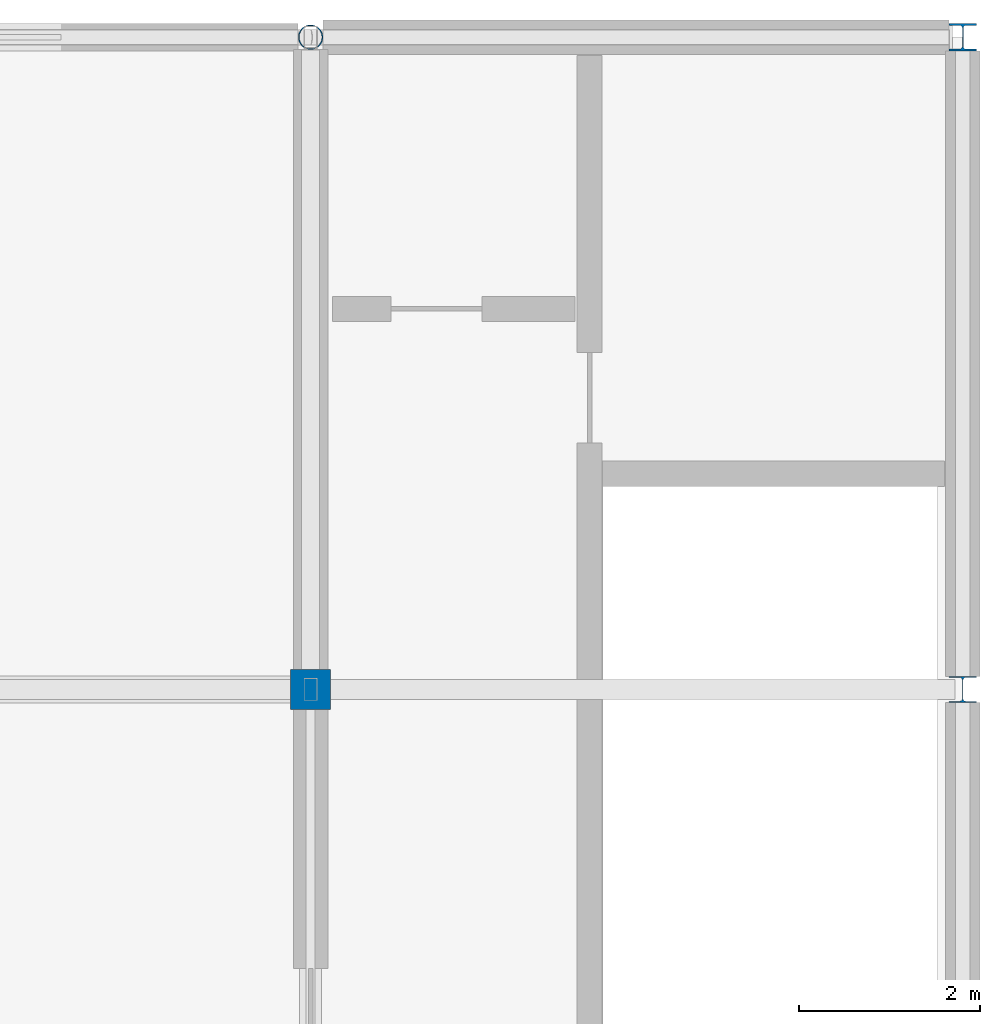
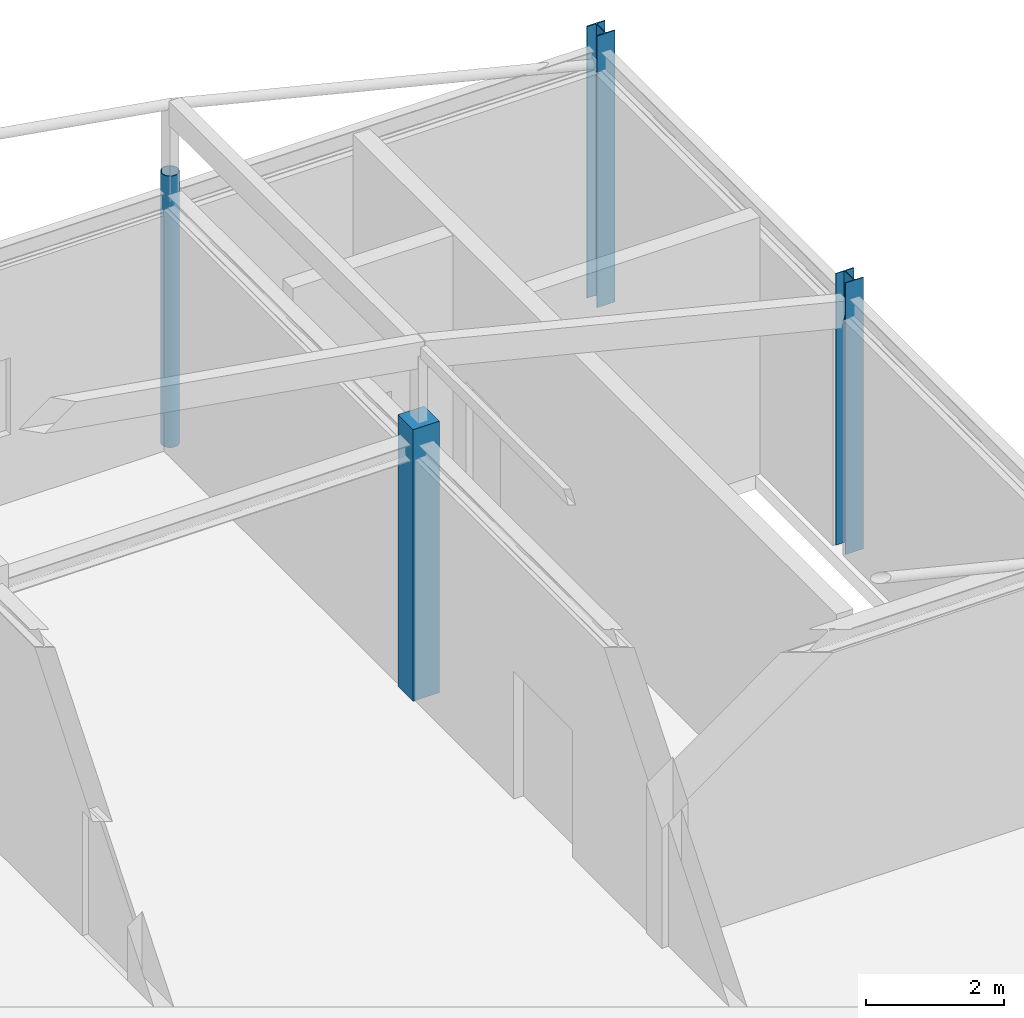
# One storey, part 6 of 23: 4 columns.
"""IFC4 building model written with IfcOpenShell, lengths in metres."""

from ifc_helpers import new_model, si_unit, direction, frame, origin, origin_2d, place, context, subcontext, project, spatial, rectangle, hollow_circle, i_section, extrude, material, material_profile, profile_set, type_object, element, save


model = new_model("IFC4")

# Units and contexts
model_context = context("Model", 3, precision=1e-05, world=origin(), true_north=direction((0.0, 1.0)))
body_context = subcontext(model_context, "Body", "Model", "MODEL_VIEW")
ifc_project = project(units=[si_unit("LENGTHUNIT", "METRE"), si_unit("AREAUNIT", "SQUARE_METRE"), si_unit("VOLUMEUNIT", "CUBIC_METRE"), si_unit("PLANEANGLEUNIT", "RADIAN"), si_unit("MASSUNIT", "GRAM", prefix="KILO")], contexts=[model_context])

# Site, building, storey
site_placement = place(None, origin())
site = spatial("IfcSite", under=ifc_project, at=site_placement, CompositionType="ELEMENT")
building_placement = place(site_placement, origin())
building = spatial("IfcBuilding", under=site, at=building_placement, Name="Cendaluz Park School", CompositionType="ELEMENT")
storey_placement = place(building_placement, frame((0.0, 0.0, 67.199951171875)))
storey = spatial("IfcBuildingStorey", under=building, at=storey_placement, Name="L16", CompositionType="ELEMENT", Elevation=67.199951171875)

# Columns
ifc_material_1 = material(Name="Glulam GL32h", Category="wood")
ifc_material_profile_1 = material_profile(ifc_material_1, rectangle(XDim=0.43994140625, YDim=0.43994140625, at=origin_2d()), Name="GL32h 440x440", Category="wood")
ifc_profile_set_1 = profile_set([ifc_material_profile_1], Name="Glulam GL32h")
column_type_1 = type_object("IfcColumnType", Name="C-GL03", PredefinedType="COLUMN", material=ifc_profile_set_1)
column_1_placement = place(storey_placement, frame((100.800048828125, 50.39990234375, 0.0), z_axis=(0.0, 0.0, 1.0), x_axis=(1.0, 0.0, 0.0)))
element("IfcColumn", 1, at=column_1_placement, inside=storey, type_object=column_type_1, Name="C-L16-CGL03-040", PredefinedType="COLUMN", context=body_context, shape_type="SweptSolid", body=[
    extrude(rectangle(XDim=0.43994140625, YDim=0.43994140625, at=origin_2d()), origin(), (0.0, 0.0, 1.0), 4.800048828125),
])
ifc_material_2 = material(Name="Steel S355", Category="steel")
ifc_material_profile_2 = material_profile(ifc_material_2, i_section(OverallWidth=0.300048828125, OverallDepth=0.300048828125, WebThickness=0.010986328125, FlangeThickness=0.01904296875, FilletRadius=0.027099609375, at=origin_2d()), Name="HEB 300", Category="steel")
ifc_profile_set_2 = profile_set([ifc_material_profile_2], Name="Steel S355")
column_type_2 = type_object("IfcColumnType", Name="C-ST01", PredefinedType="COLUMN", material=ifc_profile_set_2)
column_2_placement = place(storey_placement, frame((108.0, 57.60009765625, 0.0), z_axis=(0.0, 0.0, 1.0), x_axis=(1.0, 0.0, 0.0)))
element("IfcColumn", 2, at=column_2_placement, inside=storey, type_object=column_type_2, Name="C-L16-CST01-048", PredefinedType="COLUMN", context=body_context, shape_type="SweptSolid", body=[
    extrude(i_section(OverallWidth=0.300048828125, OverallDepth=0.300048828125, WebThickness=0.010986328125, FlangeThickness=0.01904296875, FilletRadius=0.027099609375, at=origin_2d()), origin(), (0.0, 0.0, 1.0), 4.800048828125),
])
ifc_material_profile_3 = material_profile(ifc_material_2, i_section(OverallWidth=0.300048828125, OverallDepth=0.2900390625, WebThickness=0.009033203125, FlangeThickness=0.013916015625, FilletRadius=0.027099609375, at=origin_2d()), Name="HEA 300", Category="steel")
ifc_profile_set_3 = profile_set([ifc_material_profile_3], Name="Steel S355")
column_type_3 = type_object("IfcColumnType", Name="C-ST02", PredefinedType="COLUMN", material=ifc_profile_set_3)
column_3_placement = place(storey_placement, frame((108.0, 50.39990234375, 0.0), z_axis=(0.0, 0.0, 1.0), x_axis=(1.0, 0.0, 0.0)))
element("IfcColumn", 3, at=column_3_placement, inside=storey, type_object=column_type_3, Name="C-L16-CST02-047", PredefinedType="COLUMN", context=body_context, shape_type="SweptSolid", body=[
    extrude(i_section(OverallWidth=0.300048828125, OverallDepth=0.2900390625, WebThickness=0.009033203125, FlangeThickness=0.013916015625, FilletRadius=0.027099609375, at=origin_2d()), origin(), (0.0, 0.0, 1.0), 4.800048828125),
])
ifc_material_profile_4 = material_profile(ifc_material_2, hollow_circle(Radius=0.136474609375, WallThickness=0.011962890625, at=origin_2d()), Name="CHS 273x12", Category="steel")
ifc_profile_set_4 = profile_set([ifc_material_profile_4], Name="Steel S355")
column_type_4 = type_object("IfcColumnType", Name="C-ST03", PredefinedType="COLUMN", material=ifc_profile_set_4)
column_4_placement = place(storey_placement, frame((100.800048828125, 57.60009765625, 0.0), z_axis=(0.0, 0.0, 1.0), x_axis=(1.0, 0.0, 0.0)))
element("IfcColumn", 4, at=column_4_placement, inside=storey, type_object=column_type_4, Name="C-L16-CST03-041", PredefinedType="COLUMN", context=body_context, shape_type="SweptSolid", body=[
    extrude(hollow_circle(Radius=0.136474609375, WallThickness=0.011962890625, at=origin_2d()), origin(), (0.0, 0.0, 1.0), 4.800048828125),
])

save(model, "model.ifc")
